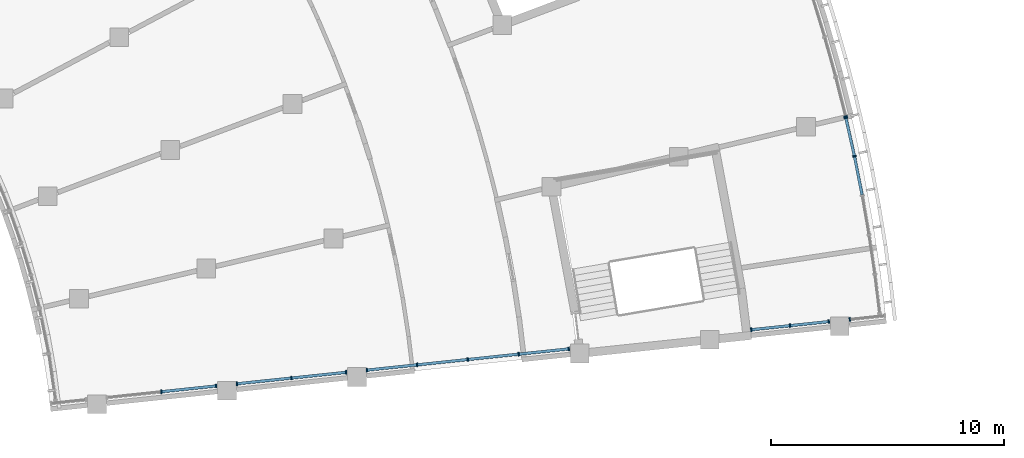
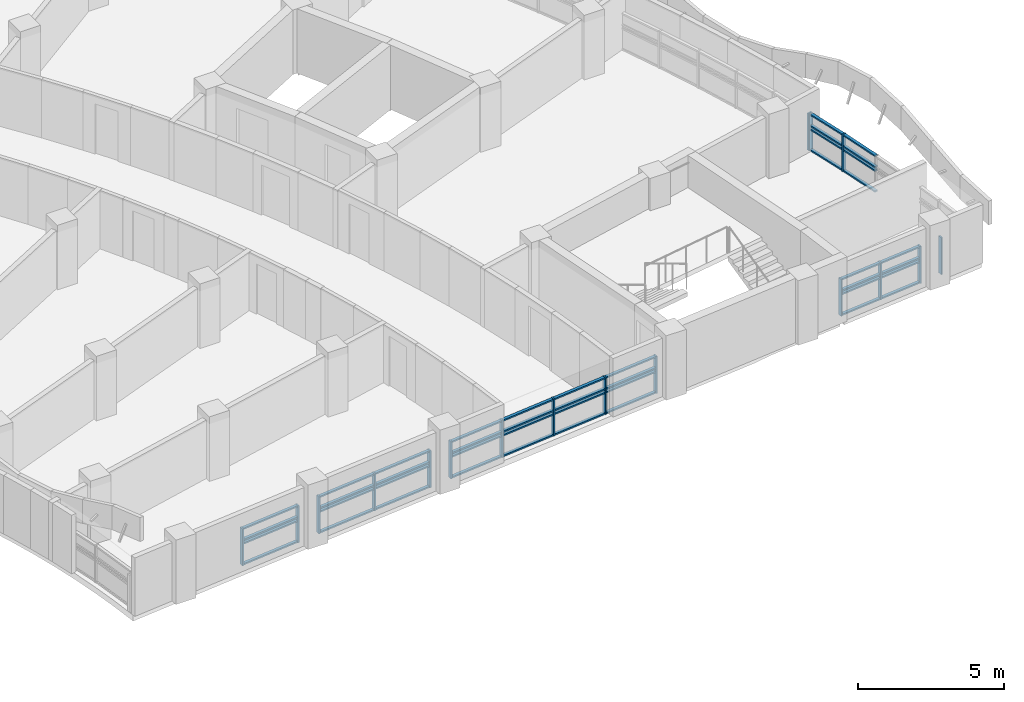
# One storey, part 19 of 89: 61 members, 7 elements without a shape of their own.
"""IFC4 building model written with IfcOpenShell, lengths in metres."""

from ifc_helpers import new_model, si_unit, direction, frame, origin, origin_2d, place, context, subcontext, project, spatial, rectangle, extrude, material, material_profile, profile_set, type_object, element, aggregate, save


model = new_model("IFC4")

# Units and contexts
model_context = context("Model", 3, precision=1e-05, world=origin(), true_north=direction((0.0, 1.0)))
body_context = subcontext(model_context, "Body", "Model", "MODEL_VIEW")
ifc_project = project(units=[si_unit("LENGTHUNIT", "METRE"), si_unit("AREAUNIT", "SQUARE_METRE"), si_unit("VOLUMEUNIT", "CUBIC_METRE"), si_unit("PLANEANGLEUNIT", "RADIAN"), si_unit("MASSUNIT", "GRAM", prefix="KILO")], contexts=[model_context])

# Site, building, storey
site_placement = place(None, origin())
site = spatial("IfcSite", under=ifc_project, at=site_placement, CompositionType="ELEMENT")
building_placement = place(site_placement, origin())
building = spatial("IfcBuilding", under=site, at=building_placement, Name="Bougainvillea Quay General Hospital", CompositionType="ELEMENT")
storey_placement = place(building_placement, frame((0.0, 0.0, 9.89990234375)))
storey = spatial("IfcBuildingStorey", under=building, at=storey_placement, Name="L01M", CompositionType="ELEMENT", Elevation=9.89990234375)

# Curtain wall, members
ifc_material_1 = material(Name="Aluminium curtain wall system, powder-coated glazed", Category="aluminium")
curtain_wall_type_1 = type_object("IfcCurtainWallType", Name="Unitised curtain wall CW-2380", PredefinedType="NOTDEFINED", material=ifc_material_1)
curtain_wall_1_placement = place(storey_placement, origin())
curtain_wall_1 = element("IfcCurtainWall", 1, at=curtain_wall_1_placement, inside=storey, type_object=curtain_wall_type_1, Name="CW-AE 01", PredefinedType="NOTDEFINED")
ifc_material_2 = material(Name="Aluminium mullion, powder-coated charcoal", Category="aluminium")
ifc_material_profile_1 = material_profile(ifc_material_2, rectangle(XDim=0.159912109375, YDim=0.06005859375, at=origin_2d()))
ifc_profile_set_1 = profile_set([ifc_material_profile_1], Name="Aluminium mullion, powder-coated charcoal")
member_type_1 = type_object("IfcMemberType", Name="Curtain wall mullion 160x60", PredefinedType="MULLION", material=ifc_profile_set_1)
member_1_placement = place(storey_placement, frame((147.76171875, 26.304443359375, 0.0), z_axis=(0.0, 0.0, 1.0), x_axis=(-0.104527173765, 0.9945220309, 0.0)))
member_1 = element("IfcMember", 2, at=member_1_placement, type_object=member_type_1, Name="CW-AE mullion 2", PredefinedType="MULLION", context=body_context, shape_type="SweptSolid", body=[
    extrude(rectangle(XDim=0.159912109375, YDim=0.06005859375, at=origin_2d()), origin(), (0.0, 0.0, 1.0), 1.550048828125),
])
member_2_placement = place(storey_placement, frame((150.0986328125, 26.550048828125, 0.0), z_axis=(0.0, 0.0, 1.0), x_axis=(-0.104527173765, 0.9945220309, 0.0)))
member_2 = element("IfcMember", 3, at=member_2_placement, type_object=member_type_1, Name="CW-AE mullion 3", PredefinedType="MULLION", context=body_context, shape_type="SweptSolid", body=[
    extrude(rectangle(XDim=0.159912109375, YDim=0.06005859375, at=origin_2d()), origin(), (0.0, 0.0, 1.0), 1.550048828125),
])

curtain_wall_2_placement = place(storey_placement, origin())
curtain_wall_2 = element("IfcCurtainWall", 4, at=curtain_wall_2_placement, inside=storey, type_object=curtain_wall_type_1, Name="CW-AE 02", PredefinedType="NOTDEFINED")
member_3_placement = place(storey_placement, frame((150.99365234375, 26.64404296875, 0.0), z_axis=(0.0, 0.0, 1.0), x_axis=(-0.104527173765, 0.9945220309, 0.0)))
member_3 = element("IfcMember", 5, at=member_3_placement, type_object=member_type_1, Name="CW-AE mullion 1", PredefinedType="MULLION", context=body_context, shape_type="SweptSolid", body=[
    extrude(rectangle(XDim=0.159912109375, YDim=0.06005859375, at=origin_2d()), origin(), (0.0, 0.0, 1.0), 1.550048828125),
])
member_4_placement = place(storey_placement, frame((153.33056640625, 26.8896484375, 0.0), z_axis=(0.0, 0.0, 1.0), x_axis=(-0.104527173765, 0.9945220309, 0.0)))
member_4 = element("IfcMember", 6, at=member_4_placement, type_object=member_type_1, Name="CW-AE mullion 2", PredefinedType="MULLION", context=body_context, shape_type="SweptSolid", body=[
    extrude(rectangle(XDim=0.159912109375, YDim=0.06005859375, at=origin_2d()), origin(), (0.0, 0.0, 1.0), 1.550048828125),
])
member_5_placement = place(storey_placement, frame((155.667724609375, 27.13525390625, 0.0), z_axis=(0.0, 0.0, 1.0), x_axis=(-0.104527173765, 0.9945220309, 0.0)))
member_5 = element("IfcMember", 7, at=member_5_placement, type_object=member_type_1, Name="CW-AE mullion 3", PredefinedType="MULLION", context=body_context, shape_type="SweptSolid", body=[
    extrude(rectangle(XDim=0.159912109375, YDim=0.06005859375, at=origin_2d()), origin(), (0.0, 0.0, 1.0), 1.550048828125),
])

curtain_wall_type_2 = type_object("IfcCurtainWallType", Name="Unitised curtain wall CW-2190", PredefinedType="NOTDEFINED", material=ifc_material_1)
curtain_wall_3_placement = place(storey_placement, origin())
curtain_wall_3 = element("IfcCurtainWall", 8, at=curtain_wall_3_placement, inside=storey, type_object=curtain_wall_type_2, Name="CW-AE 03", PredefinedType="NOTDEFINED")
member_6_placement = place(storey_placement, frame((156.562744140625, 27.2294921875, 0.0), z_axis=(0.0, 0.0, 1.0), x_axis=(-0.104527173765, 0.9945220309, 0.0)))
member_6 = element("IfcMember", 9, at=member_6_placement, type_object=member_type_1, Name="CW-AE mullion 1", PredefinedType="MULLION", context=body_context, shape_type="SweptSolid", body=[
    extrude(rectangle(XDim=0.159912109375, YDim=0.06005859375, at=origin_2d()), origin(), (0.0, 0.0, 1.0), 1.550048828125),
])
member_7_placement = place(storey_placement, frame((158.7109375, 27.455078125, 0.0), z_axis=(0.0, 0.0, 1.0), x_axis=(-0.104527173765, 0.9945220309, 0.0)))
member_7 = element("IfcMember", 10, at=member_7_placement, type_object=member_type_1, Name="CW-AE mullion 2", PredefinedType="MULLION", context=body_context, shape_type="SweptSolid", body=[
    extrude(rectangle(XDim=0.159912109375, YDim=0.06005859375, at=origin_2d()), origin(), (0.0, 0.0, 1.0), 1.550048828125),
])
member_8_placement = place(storey_placement, frame((160.888671875, 27.68408203125, 0.0), z_axis=(0.0, 0.0, 1.0), x_axis=(-0.104527173765, 0.9945220309, 0.0)))
member_8 = element("IfcMember", 11, at=member_8_placement, type_object=member_type_1, Name="CW-AE mullion 3", PredefinedType="MULLION", context=body_context, shape_type="SweptSolid", body=[
    extrude(rectangle(XDim=0.159912109375, YDim=0.06005859375, at=origin_2d()), origin(), (0.0, 0.0, 1.0), 1.550048828125),
])
member_9_placement = place(storey_placement, frame((163.066650390625, 27.9130859375, 0.0), z_axis=(0.0, 0.0, 1.0), x_axis=(-0.104527173765, 0.9945220309, 0.0)))
member_9 = element("IfcMember", 12, at=member_9_placement, type_object=member_type_1, Name="CW-AE mullion 4", PredefinedType="MULLION", context=body_context, shape_type="SweptSolid", body=[
    extrude(rectangle(XDim=0.159912109375, YDim=0.06005859375, at=origin_2d()), origin(), (0.0, 0.0, 1.0), 1.550048828125),
])
member_10_placement = place(storey_placement, frame((165.21484375, 28.138671875, 0.0), z_axis=(0.0, 0.0, 1.0), x_axis=(-0.104527173765, 0.9945220309, 0.0)))
member_10 = element("IfcMember", 13, at=member_10_placement, type_object=member_type_1, Name="CW-AE mullion 5", PredefinedType="MULLION", context=body_context, shape_type="SweptSolid", body=[
    extrude(rectangle(XDim=0.159912109375, YDim=0.06005859375, at=origin_2d()), origin(), (0.0, 0.0, 1.0), 1.550048828125),
])

curtain_wall_type_3 = type_object("IfcCurtainWallType", Name="Unitised curtain wall CW-1703", PredefinedType="NOTDEFINED", material=ifc_material_1)
curtain_wall_4_placement = place(storey_placement, origin())
curtain_wall_4 = element("IfcCurtainWall", 14, at=curtain_wall_4_placement, inside=storey, type_object=curtain_wall_type_3, Name="CW-AE 04", PredefinedType="NOTDEFINED")
member_11_placement = place(storey_placement, frame((173.027099609375, 28.9599609375, 0.0), z_axis=(0.0, 0.0, 1.0), x_axis=(-0.104527173765, 0.9945220309, 0.0)))
member_11 = element("IfcMember", 15, at=member_11_placement, type_object=member_type_1, Name="CW-AE mullion 1", PredefinedType="MULLION", context=body_context, shape_type="SweptSolid", body=[
    extrude(rectangle(XDim=0.159912109375, YDim=0.06005859375, at=origin_2d()), origin(), (0.0, 0.0, 1.0), 1.550048828125),
])
member_12_placement = place(storey_placement, frame((174.6904296875, 29.134765625, 0.0), z_axis=(0.0, 0.0, 1.0), x_axis=(-0.104527173765, 0.9945220309, 0.0)))
member_12 = element("IfcMember", 16, at=member_12_placement, type_object=member_type_1, Name="CW-AE mullion 2", PredefinedType="MULLION", context=body_context, shape_type="SweptSolid", body=[
    extrude(rectangle(XDim=0.159912109375, YDim=0.06005859375, at=origin_2d()), origin(), (0.0, 0.0, 1.0), 1.550048828125),
])
member_13_placement = place(storey_placement, frame((176.353759765625, 29.3095703125, 0.0), z_axis=(0.0, 0.0, 1.0), x_axis=(-0.104527173765, 0.9945220309, 0.0)))
member_13 = element("IfcMember", 17, at=member_13_placement, type_object=member_type_1, Name="CW-AE mullion 3", PredefinedType="MULLION", context=body_context, shape_type="SweptSolid", body=[
    extrude(rectangle(XDim=0.159912109375, YDim=0.06005859375, at=origin_2d()), origin(), (0.0, 0.0, 1.0), 1.550048828125),
])

# Curtain wall, member
curtain_wall_type_4 = type_object("IfcCurtainWallType", Name="Unitised curtain wall CW-1581", PredefinedType="NOTDEFINED", material=ifc_material_1)
curtain_wall_5_placement = place(storey_placement, origin())
curtain_wall_5 = element("IfcCurtainWall", 18, at=curtain_wall_5_placement, inside=storey, type_object=curtain_wall_type_4, Name="CW-AE 05", PredefinedType="NOTDEFINED")
member_14_placement = place(storey_placement, frame((177.2490234375, 29.403564453125, 0.0), z_axis=(0.0, 0.0, 1.0), x_axis=(-0.104527173765, 0.9945220309, 0.0)))
member_14 = element("IfcMember", 19, at=member_14_placement, type_object=member_type_1, Name="CW-AE mullion 1", PredefinedType="MULLION", context=body_context, shape_type="SweptSolid", body=[
    extrude(rectangle(XDim=0.159912109375, YDim=0.06005859375, at=origin_2d()), origin(), (0.0, 0.0, 1.0), 1.550048828125),
])
aggregate(curtain_wall_5, [member_14])

curtain_wall_type_5 = type_object("IfcCurtainWallType", Name="Unitised curtain wall CW-2100", PredefinedType="NOTDEFINED", material=ifc_material_1)
curtain_wall_6_placement = place(storey_placement, origin())
curtain_wall_6 = element("IfcCurtainWall", 20, at=curtain_wall_6_placement, inside=storey, type_object=curtain_wall_type_5, Name="CW-E07 a14b6", PredefinedType="NOTDEFINED")
member_15_placement = place(storey_placement, frame((177.06787109375, 38.09423828125, 0.0), z_axis=(0.0, 0.0, 1.0), x_axis=(0.970096102912, 0.242721138583, 0.0)))
member_15 = element("IfcMember", 21, at=member_15_placement, type_object=member_type_1, Name="CW-E07 mullion 6", PredefinedType="MULLION", context=body_context, shape_type="SweptSolid", body=[
    extrude(rectangle(XDim=0.159912109375, YDim=0.06005859375, at=origin_2d()), origin(), (0.0, 0.0, 1.0), 1.550048828125),
])
aggregate(curtain_wall_6, [member_15])

# Curtain wall, members
curtain_wall_7_placement = place(storey_placement, origin())
curtain_wall_7 = element("IfcCurtainWall", 22, at=curtain_wall_7_placement, inside=storey, type_object=curtain_wall_type_5, Name="CW-E08 a14b7", PredefinedType="NOTDEFINED")
member_16_placement = place(storey_placement, frame((177.081787109375, 38.03564453125, 0.0), z_axis=(0.0, 0.0, 1.0), x_axis=(0.97587019217, 0.218351478204, 0.0)))
member_16 = element("IfcMember", 23, at=member_16_placement, type_object=member_type_1, Name="CW-E08 mullion 1", PredefinedType="MULLION", context=body_context, shape_type="SweptSolid", body=[
    extrude(rectangle(XDim=0.159912109375, YDim=0.06005859375, at=origin_2d()), origin(), (0.0, 0.0, 1.0), 1.550048828125),
])
member_17_placement = place(storey_placement, frame((177.44921875, 36.392822265625, 0.0), z_axis=(0.0, 0.0, 1.0), x_axis=(0.978478557556, 0.206348521691, 0.0)))
member_17 = element("IfcMember", 24, at=member_17_placement, type_object=member_type_1, Name="CW-E08 mullion 2", PredefinedType="MULLION", context=body_context, shape_type="SweptSolid", body=[
    extrude(rectangle(XDim=0.159912109375, YDim=0.06005859375, at=origin_2d()), origin(), (0.0, 0.0, 1.0), 1.550048828125),
])

# Member
ifc_material_3 = material(Name="Aluminium transom, powder-coated charcoal", Category="aluminium")
ifc_material_profile_2 = material_profile(ifc_material_3, rectangle(XDim=0.1201171875, YDim=0.06005859375, at=origin_2d()))
ifc_profile_set_2 = profile_set([ifc_material_profile_2], Name="Aluminium transom, powder-coated charcoal")
member_type_2 = type_object("IfcMemberType", Name="Curtain wall transom 120x60", PredefinedType="USERDEFINED", material=ifc_profile_set_2)
member_18_placement = place(storey_placement, frame((147.79150390625, 26.3076171875, 0.030029296875), z_axis=(0.994526464215, 0.104484984448, 0.0), x_axis=(-0.104484984448, 0.994526464215, 0.0)))
member_18 = element("IfcMember", 25, at=member_18_placement, type_object=member_type_2, Name="CW-AE transom 2.1", ObjectType="TRANSOM", PredefinedType="USERDEFINED", context=body_context, shape_type="SweptSolid", body=[
    extrude(rectangle(XDim=0.1201171875, YDim=0.06005859375, at=origin_2d()), origin(), (0.0, 0.0, 1.0), 2.289794921875),
])

member_19_placement = place(storey_placement, frame((147.79150390625, 26.3076171875, 0.900146484375), z_axis=(0.994526464215, 0.104484984448, 0.0), x_axis=(-0.104484984448, 0.994526464215, 0.0)))
member_19 = element("IfcMember", 26, at=member_19_placement, type_object=member_type_2, Name="CW-AE transom 2.2", ObjectType="TRANSOM", PredefinedType="USERDEFINED", context=body_context, shape_type="SweptSolid", body=[
    extrude(rectangle(XDim=0.1201171875, YDim=0.06005859375, at=origin_2d()), origin(), (0.0, 0.0, 1.0), 2.289794921875),
])

member_20_placement = place(storey_placement, frame((147.79150390625, 26.3076171875, 1.050048828125), z_axis=(0.994526464215, 0.104484984448, 0.0), x_axis=(-0.104484984448, 0.994526464215, 0.0)))
member_20 = element("IfcMember", 27, at=member_20_placement, type_object=member_type_2, Name="CW-AE transom 2.3", ObjectType="TRANSOM", PredefinedType="USERDEFINED", context=body_context, shape_type="SweptSolid", body=[
    extrude(rectangle(XDim=0.1201171875, YDim=0.06005859375, at=origin_2d()), origin(), (0.0, 0.0, 1.0), 2.289794921875),
])

member_21_placement = place(storey_placement, frame((147.79150390625, 26.3076171875, 1.52001953125), z_axis=(0.994526464215, 0.104484984448, 0.0), x_axis=(-0.104484984448, 0.994526464215, 0.0)))
member_21 = element("IfcMember", 28, at=member_21_placement, type_object=member_type_2, Name="CW-AE transom 2.4", ObjectType="TRANSOM", PredefinedType="USERDEFINED", context=body_context, shape_type="SweptSolid", body=[
    extrude(rectangle(XDim=0.1201171875, YDim=0.06005859375, at=origin_2d()), origin(), (0.0, 0.0, 1.0), 2.289794921875),
])

aggregate(curtain_wall_1, [member_1, member_2, member_18, member_19, member_20, member_21])

member_22_placement = place(storey_placement, frame((151.0234375, 26.647216796875, 0.030029296875), z_axis=(0.994526464215, 0.104484984448, 0.0), x_axis=(-0.104484984448, 0.994526464215, 0.0)))
member_22 = element("IfcMember", 29, at=member_22_placement, type_object=member_type_2, Name="CW-AE transom 1.1", ObjectType="TRANSOM", PredefinedType="USERDEFINED", context=body_context, shape_type="SweptSolid", body=[
    extrude(rectangle(XDim=0.1201171875, YDim=0.06005859375, at=origin_2d()), origin(), (0.0, 0.0, 1.0), 2.289794921875),
])

member_23_placement = place(storey_placement, frame((151.0234375, 26.647216796875, 0.900146484375), z_axis=(0.994526464215, 0.104484984448, 0.0), x_axis=(-0.104484984448, 0.994526464215, 0.0)))
member_23 = element("IfcMember", 30, at=member_23_placement, type_object=member_type_2, Name="CW-AE transom 1.2", ObjectType="TRANSOM", PredefinedType="USERDEFINED", context=body_context, shape_type="SweptSolid", body=[
    extrude(rectangle(XDim=0.1201171875, YDim=0.06005859375, at=origin_2d()), origin(), (0.0, 0.0, 1.0), 2.289794921875),
])

member_24_placement = place(storey_placement, frame((151.0234375, 26.647216796875, 1.050048828125), z_axis=(0.994526464215, 0.104484984448, 0.0), x_axis=(-0.104484984448, 0.994526464215, 0.0)))
member_24 = element("IfcMember", 31, at=member_24_placement, type_object=member_type_2, Name="CW-AE transom 1.3", ObjectType="TRANSOM", PredefinedType="USERDEFINED", context=body_context, shape_type="SweptSolid", body=[
    extrude(rectangle(XDim=0.1201171875, YDim=0.06005859375, at=origin_2d()), origin(), (0.0, 0.0, 1.0), 2.289794921875),
])

member_25_placement = place(storey_placement, frame((151.0234375, 26.647216796875, 1.52001953125), z_axis=(0.994526464215, 0.104484984448, 0.0), x_axis=(-0.104484984448, 0.994526464215, 0.0)))
member_25 = element("IfcMember", 32, at=member_25_placement, type_object=member_type_2, Name="CW-AE transom 1.4", ObjectType="TRANSOM", PredefinedType="USERDEFINED", context=body_context, shape_type="SweptSolid", body=[
    extrude(rectangle(XDim=0.1201171875, YDim=0.06005859375, at=origin_2d()), origin(), (0.0, 0.0, 1.0), 2.289794921875),
])

member_26_placement = place(storey_placement, frame((153.360595703125, 26.892822265625, 0.030029296875), z_axis=(0.994526464215, 0.104484984448, 0.0), x_axis=(-0.104484984448, 0.994526464215, 0.0)))
member_26 = element("IfcMember", 33, at=member_26_placement, type_object=member_type_2, Name="CW-AE transom 2.1", ObjectType="TRANSOM", PredefinedType="USERDEFINED", context=body_context, shape_type="SweptSolid", body=[
    extrude(rectangle(XDim=0.1201171875, YDim=0.06005859375, at=origin_2d()), origin(), (0.0, 0.0, 1.0), 2.289794921875),
])

member_27_placement = place(storey_placement, frame((153.360595703125, 26.892822265625, 0.900146484375), z_axis=(0.994526464215, 0.104484984448, 0.0), x_axis=(-0.104484984448, 0.994526464215, 0.0)))
member_27 = element("IfcMember", 34, at=member_27_placement, type_object=member_type_2, Name="CW-AE transom 2.2", ObjectType="TRANSOM", PredefinedType="USERDEFINED", context=body_context, shape_type="SweptSolid", body=[
    extrude(rectangle(XDim=0.1201171875, YDim=0.06005859375, at=origin_2d()), origin(), (0.0, 0.0, 1.0), 2.289794921875),
])

member_28_placement = place(storey_placement, frame((153.360595703125, 26.892822265625, 1.050048828125), z_axis=(0.994526464215, 0.104484984448, 0.0), x_axis=(-0.104484984448, 0.994526464215, 0.0)))
member_28 = element("IfcMember", 35, at=member_28_placement, type_object=member_type_2, Name="CW-AE transom 2.3", ObjectType="TRANSOM", PredefinedType="USERDEFINED", context=body_context, shape_type="SweptSolid", body=[
    extrude(rectangle(XDim=0.1201171875, YDim=0.06005859375, at=origin_2d()), origin(), (0.0, 0.0, 1.0), 2.289794921875),
])

member_29_placement = place(storey_placement, frame((153.360595703125, 26.892822265625, 1.52001953125), z_axis=(0.994526464215, 0.104484984448, 0.0), x_axis=(-0.104484984448, 0.994526464215, 0.0)))
member_29 = element("IfcMember", 36, at=member_29_placement, type_object=member_type_2, Name="CW-AE transom 2.4", ObjectType="TRANSOM", PredefinedType="USERDEFINED", context=body_context, shape_type="SweptSolid", body=[
    extrude(rectangle(XDim=0.1201171875, YDim=0.06005859375, at=origin_2d()), origin(), (0.0, 0.0, 1.0), 2.289794921875),
])

aggregate(curtain_wall_2, [member_3, member_4, member_5, member_22, member_23, member_24, member_25, member_26, member_27, member_28, member_29])

member_30_placement = place(storey_placement, frame((156.592529296875, 27.232421875, 0.030029296875), z_axis=(0.994522640205, 0.104521376379, 0.0), x_axis=(-0.104521376379, 0.994522640205, 0.0)))
member_30 = element("IfcMember", 37, at=member_30_placement, type_object=member_type_2, Name="CW-AE transom 1.1", ObjectType="TRANSOM", PredefinedType="USERDEFINED", context=body_context, shape_type="SweptSolid", body=[
    extrude(rectangle(XDim=0.1201171875, YDim=0.06005859375, at=origin_2d()), origin(), (0.0, 0.0, 1.0), 2.099853515625),
])

member_31_placement = place(storey_placement, frame((156.592529296875, 27.232421875, 0.900146484375), z_axis=(0.994522640205, 0.104521376379, 0.0), x_axis=(-0.104521376379, 0.994522640205, 0.0)))
member_31 = element("IfcMember", 38, at=member_31_placement, type_object=member_type_2, Name="CW-AE transom 1.2", ObjectType="TRANSOM", PredefinedType="USERDEFINED", context=body_context, shape_type="SweptSolid", body=[
    extrude(rectangle(XDim=0.1201171875, YDim=0.06005859375, at=origin_2d()), origin(), (0.0, 0.0, 1.0), 2.099853515625),
])

member_32_placement = place(storey_placement, frame((156.592529296875, 27.232421875, 1.050048828125), z_axis=(0.994522640205, 0.104521376379, 0.0), x_axis=(-0.104521376379, 0.994522640205, 0.0)))
member_32 = element("IfcMember", 39, at=member_32_placement, type_object=member_type_2, Name="CW-AE transom 1.3", ObjectType="TRANSOM", PredefinedType="USERDEFINED", context=body_context, shape_type="SweptSolid", body=[
    extrude(rectangle(XDim=0.1201171875, YDim=0.06005859375, at=origin_2d()), origin(), (0.0, 0.0, 1.0), 2.099853515625),
])

member_33_placement = place(storey_placement, frame((156.592529296875, 27.232421875, 1.52001953125), z_axis=(0.994522640205, 0.104521376379, 0.0), x_axis=(-0.104521376379, 0.994522640205, 0.0)))
member_33 = element("IfcMember", 40, at=member_33_placement, type_object=member_type_2, Name="CW-AE transom 1.4", ObjectType="TRANSOM", PredefinedType="USERDEFINED", context=body_context, shape_type="SweptSolid", body=[
    extrude(rectangle(XDim=0.1201171875, YDim=0.06005859375, at=origin_2d()), origin(), (0.0, 0.0, 1.0), 2.099853515625),
])

member_34_placement = place(storey_placement, frame((158.74072265625, 27.458251953125, 0.030029296875), z_axis=(0.994520517099, 0.104541575795, 0.0), x_axis=(-0.104541575795, 0.994520517099, 0.0)))
member_34 = element("IfcMember", 41, at=member_34_placement, type_object=member_type_2, Name="CW-AE transom 2.1", ObjectType="TRANSOM", PredefinedType="USERDEFINED", context=body_context, shape_type="SweptSolid", body=[
    extrude(rectangle(XDim=0.1201171875, YDim=0.06005859375, at=origin_2d()), origin(), (0.0, 0.0, 1.0), 2.1298828125),
])

member_35_placement = place(storey_placement, frame((158.74072265625, 27.458251953125, 0.900146484375), z_axis=(0.994520517099, 0.104541575795, 0.0), x_axis=(-0.104541575795, 0.994520517099, 0.0)))
member_35 = element("IfcMember", 42, at=member_35_placement, type_object=member_type_2, Name="CW-AE transom 2.2", ObjectType="TRANSOM", PredefinedType="USERDEFINED", context=body_context, shape_type="SweptSolid", body=[
    extrude(rectangle(XDim=0.1201171875, YDim=0.06005859375, at=origin_2d()), origin(), (0.0, 0.0, 1.0), 2.1298828125),
])

member_36_placement = place(storey_placement, frame((158.74072265625, 27.458251953125, 1.050048828125), z_axis=(0.994520517099, 0.104541575795, 0.0), x_axis=(-0.104541575795, 0.994520517099, 0.0)))
member_36 = element("IfcMember", 43, at=member_36_placement, type_object=member_type_2, Name="CW-AE transom 2.3", ObjectType="TRANSOM", PredefinedType="USERDEFINED", context=body_context, shape_type="SweptSolid", body=[
    extrude(rectangle(XDim=0.1201171875, YDim=0.06005859375, at=origin_2d()), origin(), (0.0, 0.0, 1.0), 2.1298828125),
])

member_37_placement = place(storey_placement, frame((158.74072265625, 27.458251953125, 1.52001953125), z_axis=(0.994520517099, 0.104541575795, 0.0), x_axis=(-0.104541575795, 0.994520517099, 0.0)))
member_37 = element("IfcMember", 44, at=member_37_placement, type_object=member_type_2, Name="CW-AE transom 2.4", ObjectType="TRANSOM", PredefinedType="USERDEFINED", context=body_context, shape_type="SweptSolid", body=[
    extrude(rectangle(XDim=0.1201171875, YDim=0.06005859375, at=origin_2d()), origin(), (0.0, 0.0, 1.0), 2.1298828125),
])

member_38_placement = place(storey_placement, frame((160.91845703125, 27.687255859375, 0.030029296875), z_axis=(0.994521769657, 0.104529659321, 0.0), x_axis=(-0.104529659321, 0.994521769657, 0.0)))
member_38 = element("IfcMember", 45, at=member_38_placement, type_object=member_type_2, Name="CW-AE transom 3.1", ObjectType="TRANSOM", PredefinedType="USERDEFINED", context=body_context, shape_type="SweptSolid", body=[
    extrude(rectangle(XDim=0.1201171875, YDim=0.06005859375, at=origin_2d()), origin(), (0.0, 0.0, 1.0), 2.130126953125),
])

member_39_placement = place(storey_placement, frame((160.91845703125, 27.687255859375, 0.900146484375), z_axis=(0.994521769657, 0.104529659321, 0.0), x_axis=(-0.104529659321, 0.994521769657, 0.0)))
member_39 = element("IfcMember", 46, at=member_39_placement, type_object=member_type_2, Name="CW-AE transom 3.2", ObjectType="TRANSOM", PredefinedType="USERDEFINED", context=body_context, shape_type="SweptSolid", body=[
    extrude(rectangle(XDim=0.1201171875, YDim=0.06005859375, at=origin_2d()), origin(), (0.0, 0.0, 1.0), 2.130126953125),
])

member_40_placement = place(storey_placement, frame((160.91845703125, 27.687255859375, 1.050048828125), z_axis=(0.994521769657, 0.104529659321, 0.0), x_axis=(-0.104529659321, 0.994521769657, 0.0)))
member_40 = element("IfcMember", 47, at=member_40_placement, type_object=member_type_2, Name="CW-AE transom 3.3", ObjectType="TRANSOM", PredefinedType="USERDEFINED", context=body_context, shape_type="SweptSolid", body=[
    extrude(rectangle(XDim=0.1201171875, YDim=0.06005859375, at=origin_2d()), origin(), (0.0, 0.0, 1.0), 2.130126953125),
])

member_41_placement = place(storey_placement, frame((160.91845703125, 27.687255859375, 1.52001953125), z_axis=(0.994521769657, 0.104529659321, 0.0), x_axis=(-0.104529659321, 0.994521769657, 0.0)))
member_41 = element("IfcMember", 48, at=member_41_placement, type_object=member_type_2, Name="CW-AE transom 3.4", ObjectType="TRANSOM", PredefinedType="USERDEFINED", context=body_context, shape_type="SweptSolid", body=[
    extrude(rectangle(XDim=0.1201171875, YDim=0.06005859375, at=origin_2d()), origin(), (0.0, 0.0, 1.0), 2.130126953125),
])

member_42_placement = place(storey_placement, frame((163.096435546875, 27.916015625, 0.030029296875), z_axis=(0.994522640205, 0.104521376379, 0.0), x_axis=(-0.104521376379, 0.994522640205, 0.0)))
member_42 = element("IfcMember", 49, at=member_42_placement, type_object=member_type_2, Name="CW-AE transom 4.1", ObjectType="TRANSOM", PredefinedType="USERDEFINED", context=body_context, shape_type="SweptSolid", body=[
    extrude(rectangle(XDim=0.1201171875, YDim=0.06005859375, at=origin_2d()), origin(), (0.0, 0.0, 1.0), 2.099853515625),
])

member_43_placement = place(storey_placement, frame((163.096435546875, 27.916015625, 0.900146484375), z_axis=(0.994522640205, 0.104521376379, 0.0), x_axis=(-0.104521376379, 0.994522640205, 0.0)))
member_43 = element("IfcMember", 50, at=member_43_placement, type_object=member_type_2, Name="CW-AE transom 4.2", ObjectType="TRANSOM", PredefinedType="USERDEFINED", context=body_context, shape_type="SweptSolid", body=[
    extrude(rectangle(XDim=0.1201171875, YDim=0.06005859375, at=origin_2d()), origin(), (0.0, 0.0, 1.0), 2.099853515625),
])

member_44_placement = place(storey_placement, frame((163.096435546875, 27.916015625, 1.050048828125), z_axis=(0.994522640205, 0.104521376379, 0.0), x_axis=(-0.104521376379, 0.994522640205, 0.0)))
member_44 = element("IfcMember", 51, at=member_44_placement, type_object=member_type_2, Name="CW-AE transom 4.3", ObjectType="TRANSOM", PredefinedType="USERDEFINED", context=body_context, shape_type="SweptSolid", body=[
    extrude(rectangle(XDim=0.1201171875, YDim=0.06005859375, at=origin_2d()), origin(), (0.0, 0.0, 1.0), 2.099853515625),
])

member_45_placement = place(storey_placement, frame((163.096435546875, 27.916015625, 1.52001953125), z_axis=(0.994522640205, 0.104521376379, 0.0), x_axis=(-0.104521376379, 0.994522640205, 0.0)))
member_45 = element("IfcMember", 52, at=member_45_placement, type_object=member_type_2, Name="CW-AE transom 4.4", ObjectType="TRANSOM", PredefinedType="USERDEFINED", context=body_context, shape_type="SweptSolid", body=[
    extrude(rectangle(XDim=0.1201171875, YDim=0.06005859375, at=origin_2d()), origin(), (0.0, 0.0, 1.0), 2.099853515625),
])

aggregate(curtain_wall_3, [member_6, member_7, member_8, member_9, member_10, member_30, member_31, member_32, member_33, member_34, member_35, member_36, member_37, member_38, member_39, member_40, member_41, member_42, member_43, member_44, member_45])

member_46_placement = place(storey_placement, frame((173.05712890625, 28.962890625, 0.030029296875), z_axis=(0.994511259192, 0.104629610247, 0.0), x_axis=(-0.104629610247, 0.994511259192, 0.0)))
member_46 = element("IfcMember", 53, at=member_46_placement, type_object=member_type_2, Name="CW-AE transom 1.1", ObjectType="TRANSOM", PredefinedType="USERDEFINED", context=body_context, shape_type="SweptSolid", body=[
    extrude(rectangle(XDim=0.1201171875, YDim=0.06005859375, at=origin_2d()), origin(), (0.0, 0.0, 1.0), 1.6123046875),
])

member_47_placement = place(storey_placement, frame((173.05712890625, 28.962890625, 0.900146484375), z_axis=(0.994511259192, 0.104629610247, 0.0), x_axis=(-0.104629610247, 0.994511259192, 0.0)))
member_47 = element("IfcMember", 54, at=member_47_placement, type_object=member_type_2, Name="CW-AE transom 1.2", ObjectType="TRANSOM", PredefinedType="USERDEFINED", context=body_context, shape_type="SweptSolid", body=[
    extrude(rectangle(XDim=0.1201171875, YDim=0.06005859375, at=origin_2d()), origin(), (0.0, 0.0, 1.0), 1.6123046875),
])

member_48_placement = place(storey_placement, frame((173.05712890625, 28.962890625, 1.050048828125), z_axis=(0.994511259192, 0.104629610247, 0.0), x_axis=(-0.104629610247, 0.994511259192, 0.0)))
member_48 = element("IfcMember", 55, at=member_48_placement, type_object=member_type_2, Name="CW-AE transom 1.3", ObjectType="TRANSOM", PredefinedType="USERDEFINED", context=body_context, shape_type="SweptSolid", body=[
    extrude(rectangle(XDim=0.1201171875, YDim=0.06005859375, at=origin_2d()), origin(), (0.0, 0.0, 1.0), 1.6123046875),
])

member_49_placement = place(storey_placement, frame((173.05712890625, 28.962890625, 1.52001953125), z_axis=(0.994511259192, 0.104629610247, 0.0), x_axis=(-0.104629610247, 0.994511259192, 0.0)))
member_49 = element("IfcMember", 56, at=member_49_placement, type_object=member_type_2, Name="CW-AE transom 1.4", ObjectType="TRANSOM", PredefinedType="USERDEFINED", context=body_context, shape_type="SweptSolid", body=[
    extrude(rectangle(XDim=0.1201171875, YDim=0.06005859375, at=origin_2d()), origin(), (0.0, 0.0, 1.0), 1.6123046875),
])

member_50_placement = place(storey_placement, frame((174.720458984375, 29.1376953125, 0.030029296875), z_axis=(0.994511259192, 0.104629610247, 0.0), x_axis=(-0.104629610247, 0.994511259192, 0.0)))
member_50 = element("IfcMember", 57, at=member_50_placement, type_object=member_type_2, Name="CW-AE transom 2.1", ObjectType="TRANSOM", PredefinedType="USERDEFINED", context=body_context, shape_type="SweptSolid", body=[
    extrude(rectangle(XDim=0.1201171875, YDim=0.06005859375, at=origin_2d()), origin(), (0.0, 0.0, 1.0), 1.6123046875),
])

member_51_placement = place(storey_placement, frame((174.720458984375, 29.1376953125, 0.900146484375), z_axis=(0.994511259192, 0.104629610247, 0.0), x_axis=(-0.104629610247, 0.994511259192, 0.0)))
member_51 = element("IfcMember", 58, at=member_51_placement, type_object=member_type_2, Name="CW-AE transom 2.2", ObjectType="TRANSOM", PredefinedType="USERDEFINED", context=body_context, shape_type="SweptSolid", body=[
    extrude(rectangle(XDim=0.1201171875, YDim=0.06005859375, at=origin_2d()), origin(), (0.0, 0.0, 1.0), 1.6123046875),
])

member_52_placement = place(storey_placement, frame((174.720458984375, 29.1376953125, 1.050048828125), z_axis=(0.994511259192, 0.104629610247, 0.0), x_axis=(-0.104629610247, 0.994511259192, 0.0)))
member_52 = element("IfcMember", 59, at=member_52_placement, type_object=member_type_2, Name="CW-AE transom 2.3", ObjectType="TRANSOM", PredefinedType="USERDEFINED", context=body_context, shape_type="SweptSolid", body=[
    extrude(rectangle(XDim=0.1201171875, YDim=0.06005859375, at=origin_2d()), origin(), (0.0, 0.0, 1.0), 1.6123046875),
])

member_53_placement = place(storey_placement, frame((174.720458984375, 29.1376953125, 1.52001953125), z_axis=(0.994511259192, 0.104629610247, 0.0), x_axis=(-0.104629610247, 0.994511259192, 0.0)))
member_53 = element("IfcMember", 60, at=member_53_placement, type_object=member_type_2, Name="CW-AE transom 2.4", ObjectType="TRANSOM", PredefinedType="USERDEFINED", context=body_context, shape_type="SweptSolid", body=[
    extrude(rectangle(XDim=0.1201171875, YDim=0.06005859375, at=origin_2d()), origin(), (0.0, 0.0, 1.0), 1.6123046875),
])

aggregate(curtain_wall_4, [member_11, member_12, member_13, member_46, member_47, member_48, member_49, member_50, member_51, member_52, member_53])

member_54_placement = place(storey_placement, frame((177.08837890625, 38.006591796875, 0.030029296875), z_axis=(0.218331290803, -0.975874708893, 0.0), x_axis=(0.975874708893, 0.218331290803, 0.0)))
member_54 = element("IfcMember", 61, at=member_54_placement, type_object=member_type_2, Name="CW-E08 transom 1.1", ObjectType="TRANSOM", PredefinedType="USERDEFINED", context=body_context, shape_type="SweptSolid", body=[
    extrude(rectangle(XDim=0.1201171875, YDim=0.06005859375, at=origin_2d()), origin(), (0.0, 0.0, 1.0), 1.62353515625),
])

member_55_placement = place(storey_placement, frame((177.08837890625, 38.006591796875, 0.900146484375), z_axis=(0.218331290803, -0.975874708893, 0.0), x_axis=(0.975874708893, 0.218331290803, 0.0)))
member_55 = element("IfcMember", 62, at=member_55_placement, type_object=member_type_2, Name="CW-E08 transom 1.2", ObjectType="TRANSOM", PredefinedType="USERDEFINED", context=body_context, shape_type="SweptSolid", body=[
    extrude(rectangle(XDim=0.1201171875, YDim=0.06005859375, at=origin_2d()), origin(), (0.0, 0.0, 1.0), 1.62353515625),
])

member_56_placement = place(storey_placement, frame((177.08837890625, 38.006591796875, 1.050048828125), z_axis=(0.218331290803, -0.975874708893, 0.0), x_axis=(0.975874708893, 0.218331290803, 0.0)))
member_56 = element("IfcMember", 63, at=member_56_placement, type_object=member_type_2, Name="CW-E08 transom 1.3", ObjectType="TRANSOM", PredefinedType="USERDEFINED", context=body_context, shape_type="SweptSolid", body=[
    extrude(rectangle(XDim=0.1201171875, YDim=0.06005859375, at=origin_2d()), origin(), (0.0, 0.0, 1.0), 1.62353515625),
])

member_57_placement = place(storey_placement, frame((177.08837890625, 38.006591796875, 1.52001953125), z_axis=(0.218331290803, -0.975874708893, 0.0), x_axis=(0.975874708893, 0.218331290803, 0.0)))
member_57 = element("IfcMember", 64, at=member_57_placement, type_object=member_type_2, Name="CW-E08 transom 1.4", ObjectType="TRANSOM", PredefinedType="USERDEFINED", context=body_context, shape_type="SweptSolid", body=[
    extrude(rectangle(XDim=0.1201171875, YDim=0.06005859375, at=origin_2d()), origin(), (0.0, 0.0, 1.0), 1.62353515625),
])

member_58_placement = place(storey_placement, frame((177.455078125, 36.363525390625, 0.030029296875), z_axis=(0.194298649464, -0.980942421764, 0.0), x_axis=(0.980942421764, 0.194298649464, 0.0)))
member_58 = element("IfcMember", 65, at=member_58_placement, type_object=member_type_2, Name="CW-E08 transom 2.1", ObjectType="TRANSOM", PredefinedType="USERDEFINED", context=body_context, shape_type="SweptSolid", body=[
    extrude(rectangle(XDim=0.1201171875, YDim=0.06005859375, at=origin_2d()), origin(), (0.0, 0.0, 1.0), 1.653564453125),
])

member_59_placement = place(storey_placement, frame((177.455078125, 36.363525390625, 0.900146484375), z_axis=(0.194298649464, -0.980942421764, 0.0), x_axis=(0.980942421764, 0.194298649464, 0.0)))
member_59 = element("IfcMember", 66, at=member_59_placement, type_object=member_type_2, Name="CW-E08 transom 2.2", ObjectType="TRANSOM", PredefinedType="USERDEFINED", context=body_context, shape_type="SweptSolid", body=[
    extrude(rectangle(XDim=0.1201171875, YDim=0.06005859375, at=origin_2d()), origin(), (0.0, 0.0, 1.0), 1.653564453125),
])

member_60_placement = place(storey_placement, frame((177.455078125, 36.363525390625, 1.050048828125), z_axis=(0.194298649464, -0.980942421764, 0.0), x_axis=(0.980942421764, 0.194298649464, 0.0)))
member_60 = element("IfcMember", 67, at=member_60_placement, type_object=member_type_2, Name="CW-E08 transom 2.3", ObjectType="TRANSOM", PredefinedType="USERDEFINED", context=body_context, shape_type="SweptSolid", body=[
    extrude(rectangle(XDim=0.1201171875, YDim=0.06005859375, at=origin_2d()), origin(), (0.0, 0.0, 1.0), 1.653564453125),
])

member_61_placement = place(storey_placement, frame((177.455078125, 36.363525390625, 1.52001953125), z_axis=(0.194298649464, -0.980942421764, 0.0), x_axis=(0.980942421764, 0.194298649464, 0.0)))
member_61 = element("IfcMember", 68, at=member_61_placement, type_object=member_type_2, Name="CW-E08 transom 2.4", ObjectType="TRANSOM", PredefinedType="USERDEFINED", context=body_context, shape_type="SweptSolid", body=[
    extrude(rectangle(XDim=0.1201171875, YDim=0.06005859375, at=origin_2d()), origin(), (0.0, 0.0, 1.0), 1.653564453125),
])

aggregate(curtain_wall_7, [member_16, member_17, member_54, member_55, member_56, member_57, member_58, member_59, member_60, member_61])

save(model, "model.ifc")
